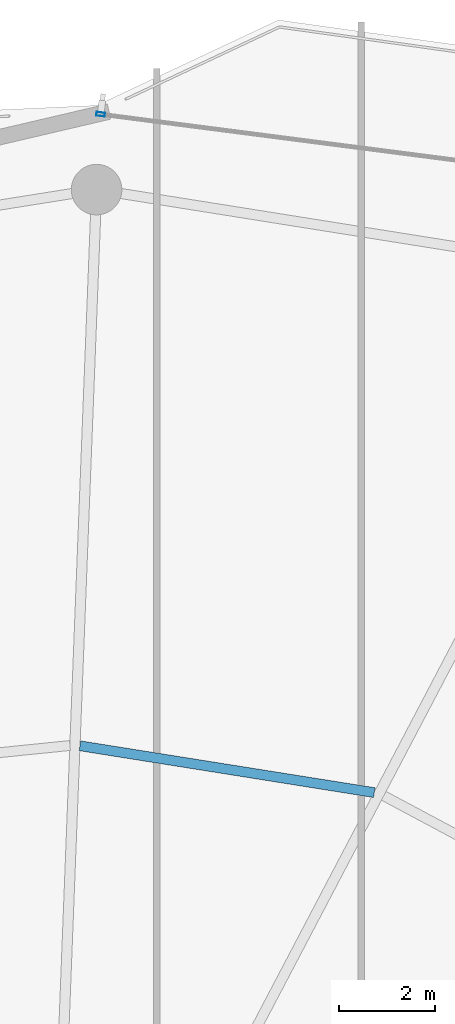
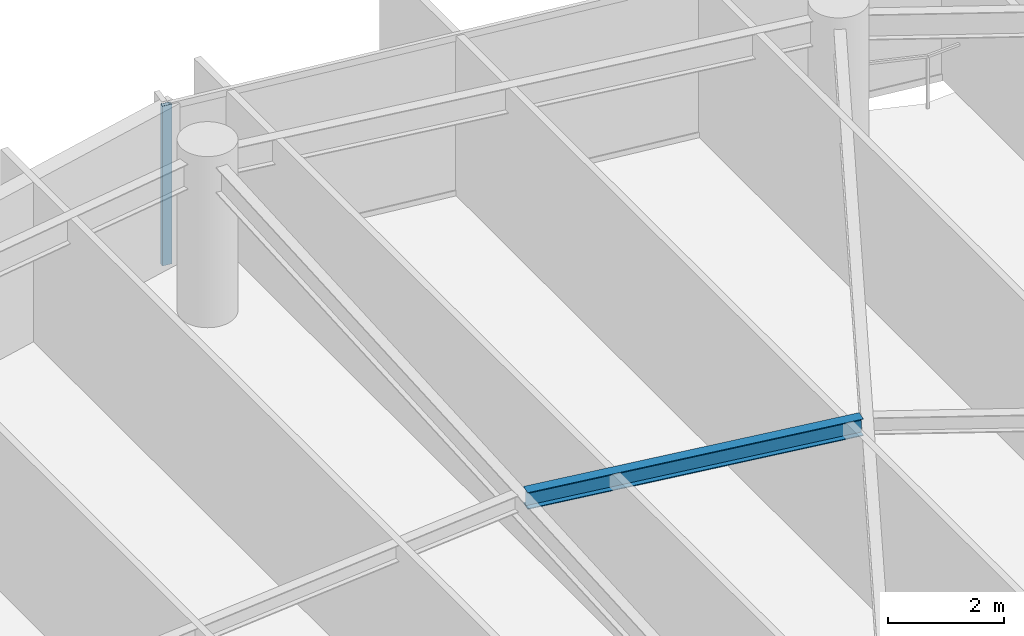
# One storey, part 20 of 31: 1 beam, 1 member, 1 element without a shape of its own.
"""IFC4 building model written with IfcOpenShell, lengths in metres."""

from ifc_helpers import new_model, si_unit, direction, frame, origin, origin_2d, place, context, subcontext, project, spatial, hollow_rectangle, i_section, extrude, material, layer, layer_set, material_profile, profile_set, type_object, element, aggregate, save


model = new_model("IFC4")

# Units and contexts
model_context = context("Model", 3, precision=1e-05, world=origin(), true_north=direction((0.0, 1.0)))
body_context = subcontext(model_context, "Body", "Model", "MODEL_VIEW")
ifc_project = project(units=[si_unit("LENGTHUNIT", "METRE"), si_unit("AREAUNIT", "SQUARE_METRE"), si_unit("VOLUMEUNIT", "CUBIC_METRE"), si_unit("PLANEANGLEUNIT", "RADIAN"), si_unit("MASSUNIT", "GRAM", prefix="KILO")], contexts=[model_context])

# Site, building, storey
site_placement = place(None, origin())
site = spatial("IfcSite", under=ifc_project, at=site_placement, CompositionType="ELEMENT")
building_placement = place(site_placement, origin())
building = spatial("IfcBuilding", under=site, at=building_placement, Name="Kazevale Care Tower and Concert Hall", CompositionType="ELEMENT")
storey_placement = place(building_placement, frame((0.0, 0.0, 220.800048828125)))
storey = spatial("IfcBuildingStorey", under=building, at=storey_placement, Name="L58", CompositionType="ELEMENT", Elevation=220.800048828125)

# Curtain wall, member
ifc_material_1 = material(Name="Aluminium 6063-T6 and Low-E Glass", Category="aluminium")
ifc_layer = layer(ifc_material_1, 0.179931640625)
ifc_layer_set = layer_set([ifc_layer], Name="Aluminium 6063-T6 and Low-E Glass")
curtain_wall_type = type_object("IfcCurtainWallType", Name="Waist & Upper Residential Curtain Wall CW-4", PredefinedType="NOTDEFINED", material=ifc_layer_set)
curtain_wall_placement = place(storey_placement, origin())
curtain_wall = element("IfcCurtainWall", 1, at=curtain_wall_placement, inside=storey, type_object=curtain_wall_type, Name="cw:L58:f16", PredefinedType="NOTDEFINED")
ifc_material_2 = material(Name="Aluminium 6063-T6", Category="aluminium")
ifc_material_profile_1 = material_profile(ifc_material_2, hollow_rectangle(XDim=0.080078125, YDim=0.179931640625, WallThickness=0.0048828125, at=origin_2d()), Name="ALU80x180x5")
ifc_profile_set_1 = profile_set([ifc_material_profile_1], Name="Aluminium 6063-T6")
member_type = type_object("IfcMemberType", Name="CW-4 Mullion ALU80x180x5", PredefinedType="MULLION", material=ifc_profile_set_1)
member_placement = place(storey_placement, frame((45.083740234375, 63.616943359375, 0.0), z_axis=(0.0, 0.0, 1.0), x_axis=(0.128098132904, 0.991761497713, 0.0)))
member = element("IfcMember", 2, at=member_placement, type_object=member_type, Name="CW-4 mullion 1", PredefinedType="MULLION", context=body_context, shape_type="SweptSolid", body=[
    extrude(hollow_rectangle(XDim=0.080078125, YDim=0.179931640625, WallThickness=0.0048828125, at=origin_2d()), origin(), (0.0, 0.0, 1.0), 3.35986328125),
])
aggregate(curtain_wall, [member])

# Beam
ifc_material_3 = material(Name="Steel ASTM A572 Gr 50", Category="steel")
ifc_material_profile_2 = material_profile(ifc_material_3, i_section(OverallWidth=0.205078125, OverallDepth=0.35400390625, WebThickness=0.009521484375, FlangeThickness=0.016845703125, at=origin_2d()), Name="W360x79")
ifc_profile_set_2 = profile_set([ifc_material_profile_2], Name="Steel ASTM A572 Gr 50")
beam_type = type_object("IfcBeamType", Name="Secondary Floor Joist W360x79", PredefinedType="JOIST", material=ifc_profile_set_2)
beam_placement = place(storey_placement, frame((50.77099609375, 49.51806640625, 3.182861328125), z_axis=(-0.987586560603, 0.157075731152, 0.0), x_axis=(-0.157075731152, -0.987586560603, 0.0)))
element("IfcBeam", 3, at=beam_placement, inside=storey, type_object=beam_type, Name="beam:L58:joist:04", PredefinedType="JOIST", context=body_context, shape_type="SweptSolid", body=[
    extrude(i_section(OverallWidth=0.205078125, OverallDepth=0.35400390625, WebThickness=0.009521484375, FlangeThickness=0.016845703125, at=origin_2d()), origin(), (0.0, 0.0, 1.0), 6.19384765625),
])

save(model, "model.ifc")
